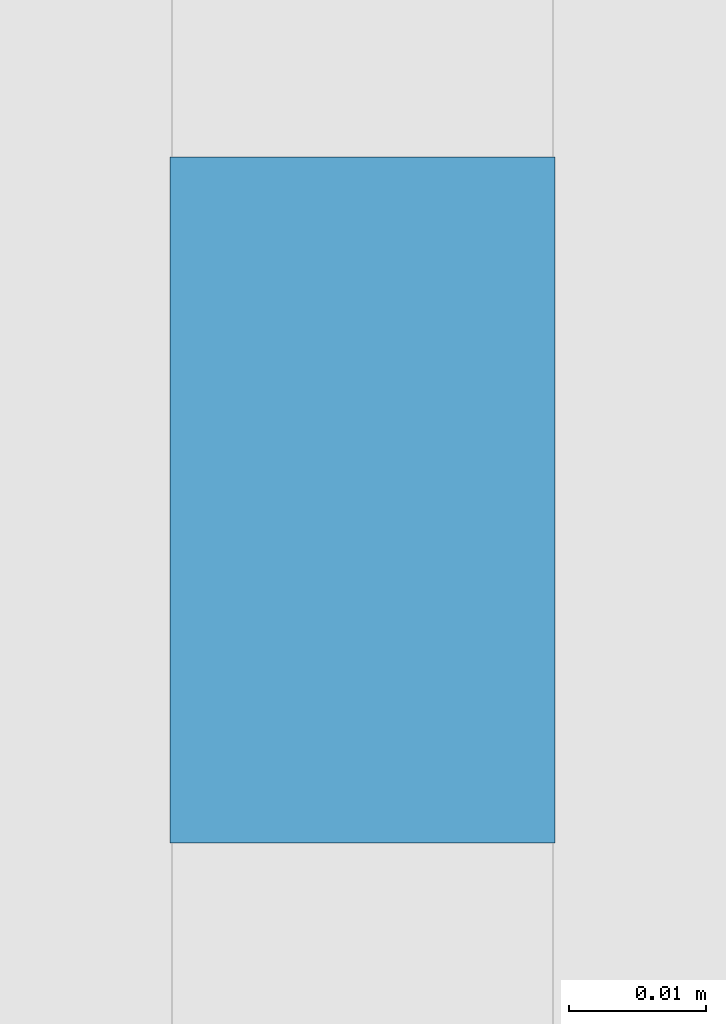
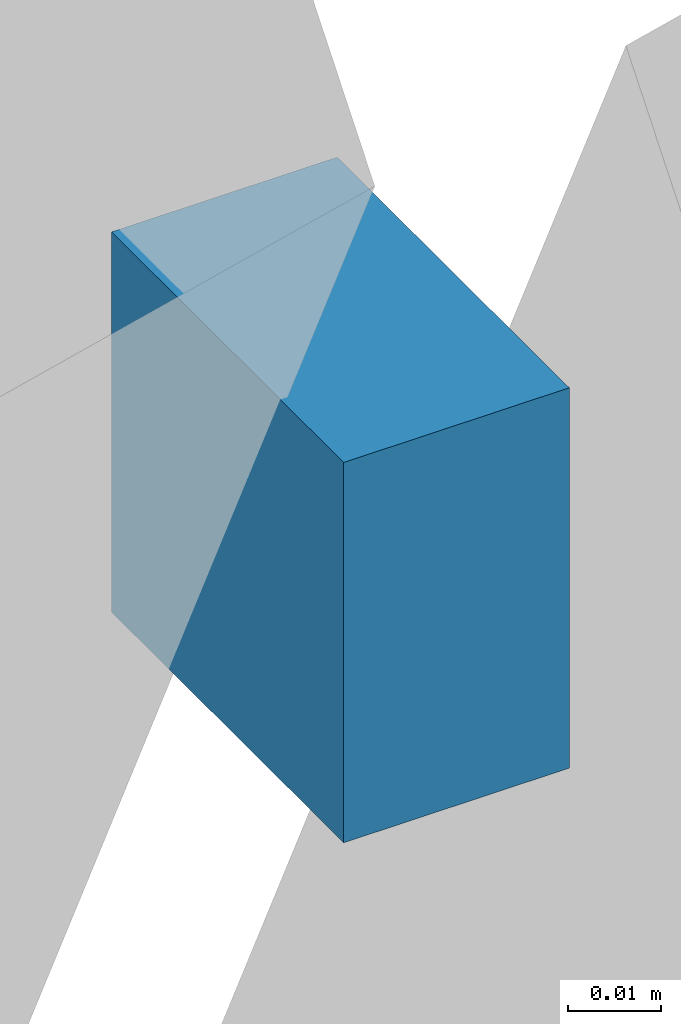
# One storey, part 21 of 24: 1 discrete accessory, 1 element without a shape of its own.
"""IFC4 building model written with IfcOpenShell, lengths in metres."""

from ifc_helpers import new_model, si_unit, direction, frame, origin, origin_2d, place, context, subcontext, project, spatial, rectangle, extrude, material, type_object, element, aggregate, save


model = new_model("IFC4")

# Units and contexts
model_context = context("Model", 3, precision=1e-05, world=origin(), true_north=direction((0.0, 1.0)))
body_context = subcontext(model_context, "Body", "Model", "MODEL_VIEW")
ifc_project = project(units=[si_unit("LENGTHUNIT", "METRE"), si_unit("AREAUNIT", "SQUARE_METRE"), si_unit("VOLUMEUNIT", "CUBIC_METRE"), si_unit("PLANEANGLEUNIT", "RADIAN"), si_unit("MASSUNIT", "GRAM", prefix="KILO")], contexts=[model_context])

# Site, building, storey
site_placement = place(None, origin())
site = spatial("IfcSite", under=ifc_project, at=site_placement, CompositionType="ELEMENT")
building_placement = place(site_placement, origin())
building = spatial("IfcBuilding", under=site, at=building_placement, Name="Tessera Arch", CompositionType="ELEMENT")
storey_placement = place(building_placement, frame((0.0, 0.0, 112.0)))
storey = spatial("IfcBuildingStorey", under=building, at=storey_placement, Name="L26", CompositionType="ELEMENT", Elevation=112.0)

# Curtain wall, discrete accessory
ifc_material = material(Name="CW3 curtain wall")
curtain_wall_type = type_object("IfcCurtainWallType", Name="CW3 curtain wall", PredefinedType="NOTDEFINED", material=ifc_material)
curtain_wall_placement = place(storey_placement, origin())
curtain_wall = element("IfcCurtainWall", 1, at=curtain_wall_placement, inside=storey, type_object=curtain_wall_type, Name="CW3 curtain wall E54.0/4 L26", PredefinedType="NOTDEFINED")
discrete_accessory_placement = place(storey_placement, frame((54.0439453125, 40.99609375, 1.00830078125), z_axis=(0.0, 0.0, 1.0), x_axis=(0.0, 1.0, 0.0)))
discrete_accessory = element("IfcDiscreteAccessory", 2, at=discrete_accessory_placement, Name="Glazing bracket", PredefinedType="BRACKET", context=body_context, shape_type="SweptSolid", body=[
    extrude(rectangle(XDim=0.050048828125, YDim=0.028076171875, at=origin_2d()), origin(), (0.0, 0.0, 1.0), 0.050048828125),
])
aggregate(curtain_wall, [discrete_accessory])

save(model, "model.ifc")
